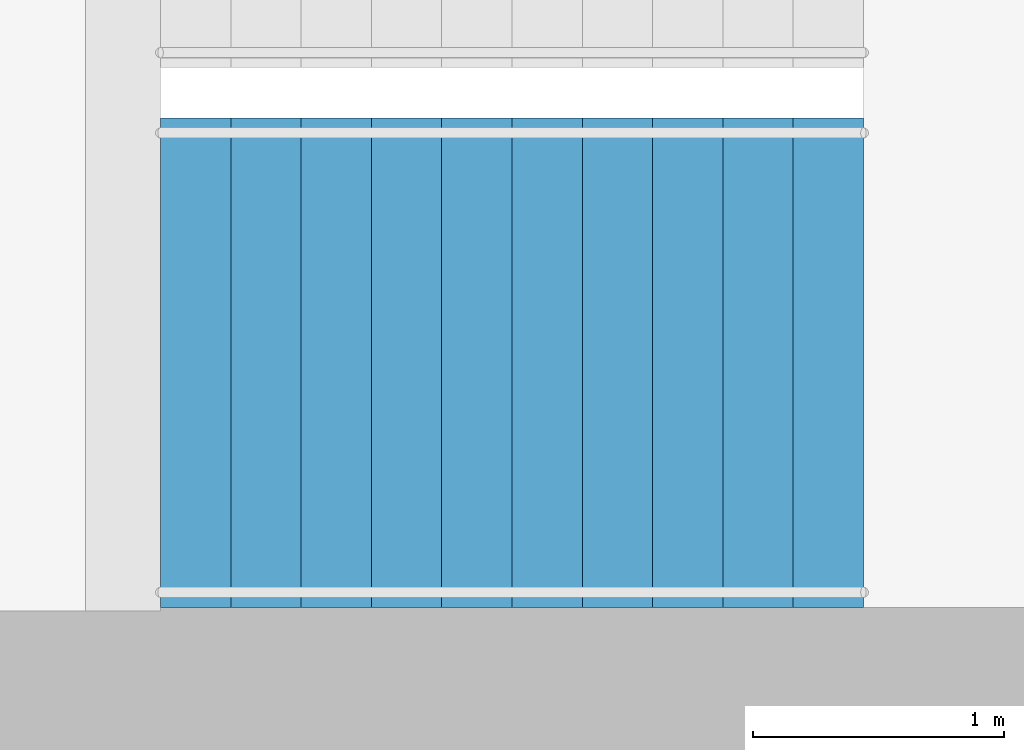
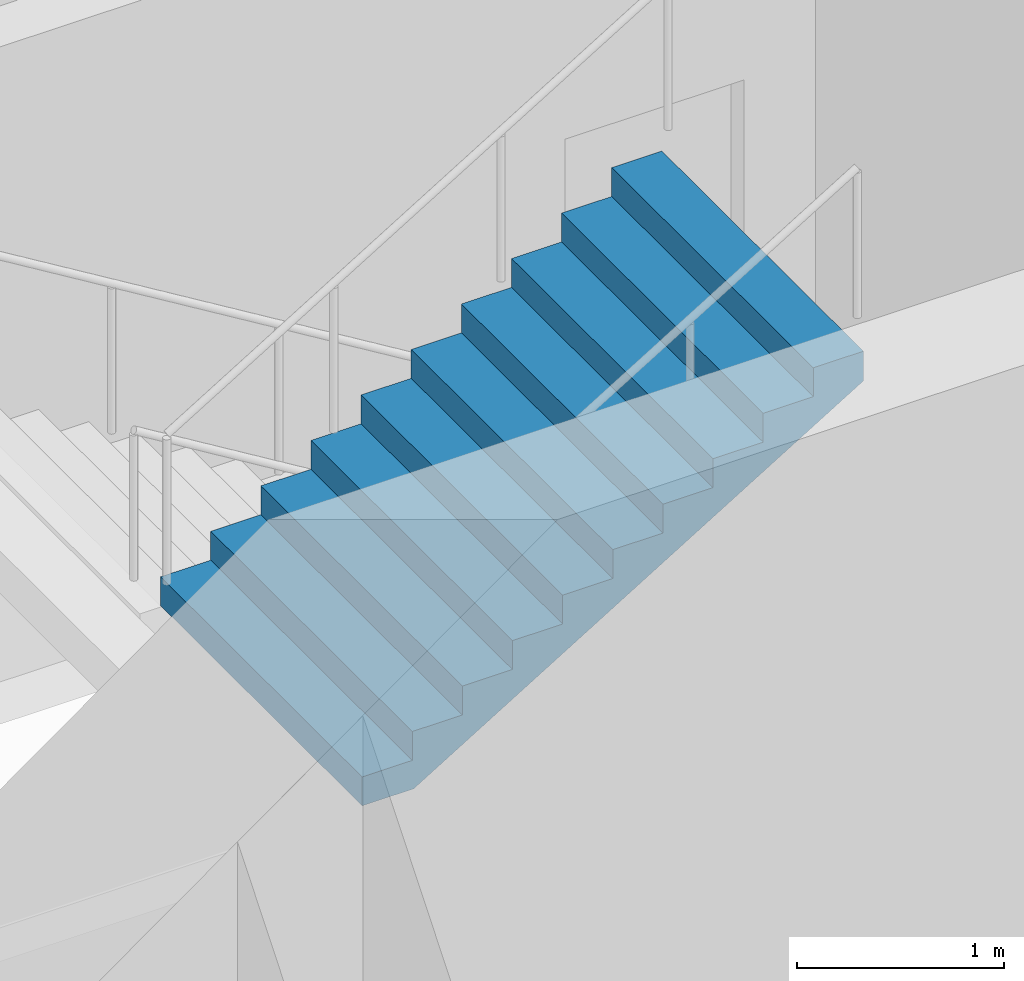
# One storey, part 22 of 24: 1 stair flight, 1 element without a shape of its own.
"""IFC4 building model written with IfcOpenShell, lengths in metres."""

from ifc_helpers import new_model, si_unit, direction, frame, origin, place, context, subcontext, project, spatial, triangles, material, type_object, element, aggregate, save


model = new_model("IFC4")

# Units and contexts
model_context = context("Model", 3, precision=1e-05, world=origin(), true_north=direction((0.0, 1.0)))
body_context = subcontext(model_context, "Body", "Model", "MODEL_VIEW")
ifc_project = project(units=[si_unit("LENGTHUNIT", "METRE"), si_unit("AREAUNIT", "SQUARE_METRE"), si_unit("VOLUMEUNIT", "CUBIC_METRE"), si_unit("PLANEANGLEUNIT", "RADIAN"), si_unit("MASSUNIT", "GRAM", prefix="KILO")], contexts=[model_context])

# Site, building, storey
site_placement = place(None, origin())
site = spatial("IfcSite", under=ifc_project, at=site_placement, CompositionType="ELEMENT")
building_placement = place(site_placement, origin())
building = spatial("IfcBuilding", under=site, at=building_placement, Name="Orbita Commons", CompositionType="ELEMENT")
storey_placement = place(building_placement, frame((0.0, 0.0, 242.800048828125)))
storey = spatial("IfcBuildingStorey", under=building, at=storey_placement, Name="L60", CompositionType="ELEMENT", Elevation=242.800048828125)

# Stair, stair flight
ifc_material_1 = material(Name="Precast concrete C40/50", Category="concrete")
stair_type = type_object("IfcStairType", Name="Exit stair S2 2 flights 11 risers 170", PredefinedType="HALF_TURN_STAIR", material=ifc_material_1)
stair_placement = place(storey_placement, origin())
stair = element("IfcStair", 1, at=stair_placement, inside=storey, type_object=stair_type, Name="Exit stair S2 L60", PredefinedType="HALF_TURN_STAIR")
ifc_material_2 = material(Name="Precast concrete C40/50", Category="concrete")
stair_flight_type = type_object("IfcStairFlightType", Name="Stair flight 11 risers 170 x 280", PredefinedType="STRAIGHT", material=ifc_material_2)
stair_flight_placement = place(storey_placement, frame((60.75, 27.125, 1.875), z_axis=(0.0, 0.0, 1.0), x_axis=(1.0, 0.0, 0.0)))
stair_flight = element("IfcStairFlight", 2, at=stair_flight_placement, type_object=stair_flight_type, Name="S2 flight 2", NumberOfRisers=11, NumberOfTreads=10, PredefinedType="STRAIGHT", RiserHeight=0.170454545, TreadLength=0.28, context=body_context, shape_type="Tessellation", body=[
    triangles([(0.0, 0.974976, 0.0), (0.0, 0.974976, 0.021307), (0.0, 0.81248, 0.021307), (0.0, 0.81248, 0.0), (0.0, 0.649984, 0.021307), (0.0, 0.649984, 0.0), (0.0, 0.487488, 0.021307), (0.0, 0.487488, 0.0), (0.0, 0.324992, 0.021307), (0.0, 0.324992, 0.0), (0.0, 0.162496, 0.021307), (0.0, 0.162496, 0.0), (0.0, 0.0, 0.021307), (0.0, 0.0, 0.0), (0.0, -0.162496, 0.021307), (0.0, -0.162496, 0.0), (0.0, -0.324992, 0.021307), (0.0, -0.324992, 0.0), (0.0, -0.487488, 0.021307), (0.0, -0.487488, 0.0), (0.0, -0.649984, 0.021307), (0.0, -0.649984, 0.0), (0.0, -0.81248, 0.021307), (0.0, -0.81248, 0.0), (0.0, -0.974976, 0.021307), (0.0, -0.974976, 0.0), (0.0, 0.974976, 0.042614), (0.0, 0.81248, 0.042614), (0.0, 0.649984, 0.042614), (0.0, 0.487488, 0.042614), (0.0, 0.324992, 0.042614), (0.0, 0.162496, 0.042614), (0.0, 0.0, 0.042614), (0.0, -0.162496, 0.042614), (0.0, -0.324992, 0.042614), (0.0, -0.487488, 0.042614), (0.0, -0.649984, 0.042614), (0.0, -0.81248, 0.042614), (0.0, -0.974976, 0.042614), (0.0, 0.974976, 0.06392), (0.0, 0.81248, 0.06392), (0.0, 0.649984, 0.06392), (0.0, 0.487488, 0.06392), (0.0, 0.324992, 0.06392), (0.0, 0.162496, 0.06392), (0.0, 0.0, 0.06392), (0.0, -0.162496, 0.06392), (0.0, -0.324992, 0.06392), (0.0, -0.487488, 0.06392), (0.0, -0.649984, 0.06392), (0.0, -0.81248, 0.06392), (0.0, -0.974976, 0.06392), (0.0, 0.974976, 0.085227), (0.0, 0.81248, 0.085227), (0.0, 0.649984, 0.085227), (0.0, 0.487488, 0.085227), (0.0, 0.324992, 0.085227), (0.0, 0.162496, 0.085227), (0.0, 0.0, 0.085227), (0.0, -0.162496, 0.085227), (0.0, -0.324992, 0.085227), (0.0, -0.487488, 0.085227), (0.0, -0.649984, 0.085227), (0.0, -0.81248, 0.085227), (0.0, -0.974976, 0.085227), (0.0, 0.974976, 0.106534), (0.0, 0.81248, 0.106534), (0.0, 0.649984, 0.106534), (0.0, 0.487488, 0.106534), (0.0, 0.324992, 0.106534), (0.0, 0.162496, 0.106534), (0.0, 0.0, 0.106534), (0.0, -0.162496, 0.106534), (0.0, -0.324992, 0.106534), (0.0, -0.487488, 0.106534), (0.0, -0.649984, 0.106534), (0.0, -0.81248, 0.106534), (0.0, -0.974976, 0.106534), (0.0, 0.974976, 0.127841), (0.0, 0.81248, 0.127841), (0.0, 0.649984, 0.127841), (0.0, 0.487488, 0.127841), (0.0, 0.324992, 0.127841), (0.0, 0.162496, 0.127841), (0.0, 0.0, 0.127841), (0.0, -0.162496, 0.127841), (0.0, -0.324992, 0.127841), (0.0, -0.487488, 0.127841), (0.0, -0.649984, 0.127841), (0.0, -0.81248, 0.127841), (0.0, -0.974976, 0.127841), (0.0, 0.974976, 0.149148), (0.0, 0.81248, 0.149148), (0.0, 0.649984, 0.149148), (0.0, 0.487488, 0.149148), (0.0, 0.324992, 0.149148), (0.0, 0.162496, 0.149148), (0.0, 0.0, 0.149148), (0.0, -0.162496, 0.149148), (0.0, -0.324992, 0.149148), (0.0, -0.487488, 0.149148), (0.0, -0.649984, 0.149148), (0.0, -0.81248, 0.149148), (0.0, -0.974976, 0.149148), (0.0, 0.974976, 0.170455), (0.0, 0.81248, 0.170455), (0.0, 0.649984, 0.170455), (0.0, 0.487488, 0.170455), (0.0, 0.324992, 0.170455), (0.0, 0.162496, 0.170455), (0.0, 0.0, 0.170455), (0.0, -0.162496, 0.170455), (0.0, -0.324992, 0.170455), (0.0, -0.487488, 0.170455), (0.0, -0.649984, 0.170455), (0.0, -0.81248, 0.170455), (0.0, -0.974976, 0.170455), (0.28, 0.974976, 0.170455), (0.28, 0.81248, 0.170455), (0.28, 0.649984, 0.170455), (0.28, 0.487488, 0.170455), (0.28, 0.324992, 0.170455), (0.28, 0.162496, 0.170455), (0.28, 0.0, 0.170455), (0.28, -0.162496, 0.170455), (0.28, -0.324992, 0.170455), (0.28, -0.487488, 0.170455), (0.28, -0.649984, 0.170455), (0.28, -0.81248, 0.170455), (0.28, -0.974976, 0.170455), (0.28, 0.974976, 0.340909), (0.28, 0.81248, 0.340909), (0.28, 0.649984, 0.340909), (0.28, 0.487488, 0.340909), (0.28, 0.324992, 0.340909), (0.28, 0.162496, 0.340909), (0.28, 0.0, 0.340909), (0.28, -0.162496, 0.340909), (0.28, -0.324992, 0.340909), (0.28, -0.487488, 0.340909), (0.28, -0.649984, 0.340909), (0.28, -0.81248, 0.340909), (0.28, -0.974976, 0.340909), (0.56, 0.974976, 0.340909), (0.56, 0.81248, 0.340909), (0.56, 0.649984, 0.340909), (0.56, 0.487488, 0.340909), (0.56, 0.324992, 0.340909), (0.56, 0.162496, 0.340909), (0.56, 0.0, 0.340909), (0.56, -0.162496, 0.340909), (0.56, -0.324992, 0.340909), (0.56, -0.487488, 0.340909), (0.56, -0.649984, 0.340909), (0.56, -0.81248, 0.340909), (0.56, -0.974976, 0.340909), (0.56, 0.974976, 0.511364), (0.56, 0.81248, 0.511364), (0.56, 0.649984, 0.511364), (0.56, 0.487488, 0.511364), (0.56, 0.324992, 0.511364), (0.56, 0.162496, 0.511364), (0.56, 0.0, 0.511364), (0.56, -0.162496, 0.511364), (0.56, -0.324992, 0.511364), (0.56, -0.487488, 0.511364), (0.56, -0.649984, 0.511364), (0.56, -0.81248, 0.511364), (0.56, -0.974976, 0.511364), (0.84, 0.974976, 0.511364), (0.84, 0.81248, 0.511364), (0.84, 0.649984, 0.511364), (0.84, 0.487488, 0.511364), (0.84, 0.324992, 0.511364), (0.84, 0.162496, 0.511364), (0.84, 0.0, 0.511364), (0.84, -0.162496, 0.511364), (0.84, -0.324992, 0.511364), (0.84, -0.487488, 0.511364), (0.84, -0.649984, 0.511364), (0.84, -0.81248, 0.511364), (0.84, -0.974976, 0.511364), (0.84, 0.974976, 0.681818), (0.84, 0.81248, 0.681818), (0.84, 0.649984, 0.681818), (0.84, 0.487488, 0.681818), (0.84, 0.324992, 0.681818), (0.84, 0.162496, 0.681818), (0.84, 0.0, 0.681818), (0.84, -0.162496, 0.681818), (0.84, -0.324992, 0.681818), (0.84, -0.487488, 0.681818), (0.84, -0.649984, 0.681818), (0.84, -0.81248, 0.681818), (0.84, -0.974976, 0.681818), (1.12, 0.974976, 0.681818), (1.12, 0.81248, 0.681818), (1.12, 0.649984, 0.681818), (1.12, 0.487488, 0.681818), (1.12, 0.324992, 0.681818), (1.12, 0.162496, 0.681818), (1.12, 0.0, 0.681818), (1.12, -0.162496, 0.681818), (1.12, -0.324992, 0.681818), (1.12, -0.487488, 0.681818), (1.12, -0.649984, 0.681818), (1.12, -0.81248, 0.681818), (1.12, -0.974976, 0.681818), (1.12, 0.974976, 0.852273), (1.12, 0.81248, 0.852273), (1.12, 0.649984, 0.852273), (1.12, 0.487488, 0.852273), (1.12, 0.324992, 0.852273), (1.12, 0.162496, 0.852273), (1.12, 0.0, 0.852273), (1.12, -0.162496, 0.852273), (1.12, -0.324992, 0.852273), (1.12, -0.487488, 0.852273), (1.12, -0.649984, 0.852273), (1.12, -0.81248, 0.852273), (1.12, -0.974976, 0.852273), (1.4, 0.974976, 0.852273), (1.4, 0.81248, 0.852273), (1.4, 0.649984, 0.852273), (1.4, 0.487488, 0.852273), (1.4, 0.324992, 0.852273), (1.4, 0.162496, 0.852273), (1.4, 0.0, 0.852273), (1.4, -0.162496, 0.852273), (1.4, -0.324992, 0.852273), (1.4, -0.487488, 0.852273), (1.4, -0.649984, 0.852273), (1.4, -0.81248, 0.852273), (1.4, -0.974976, 0.852273), (1.4, 0.974976, 1.022727), (1.4, 0.81248, 1.022727), (1.4, 0.649984, 1.022727), (1.4, 0.487488, 1.022727), (1.4, 0.324992, 1.022727), (1.4, 0.162496, 1.022727), (1.4, 0.0, 1.022727), (1.4, -0.162496, 1.022727), (1.4, -0.324992, 1.022727), (1.4, -0.487488, 1.022727), (1.4, -0.649984, 1.022727), (1.4, -0.81248, 1.022727), (1.4, -0.974976, 1.022727), (1.68, 0.974976, 1.022727), (1.68, 0.81248, 1.022727), (1.68, 0.649984, 1.022727), (1.68, 0.487488, 1.022727), (1.68, 0.324992, 1.022727), (1.68, 0.162496, 1.022727), (1.68, 0.0, 1.022727), (1.68, -0.162496, 1.022727), (1.68, -0.324992, 1.022727), (1.68, -0.487488, 1.022727), (1.68, -0.649984, 1.022727), (1.68, -0.81248, 1.022727), (1.68, -0.974976, 1.022727), (1.68, 0.974976, 1.193182), (1.68, 0.81248, 1.193182), (1.68, 0.649984, 1.193182), (1.68, 0.487488, 1.193182), (1.68, 0.324992, 1.193182), (1.68, 0.162496, 1.193182), (1.68, 0.0, 1.193182), (1.68, -0.162496, 1.193182), (1.68, -0.324992, 1.193182), (1.68, -0.487488, 1.193182), (1.68, -0.649984, 1.193182), (1.68, -0.81248, 1.193182), (1.68, -0.974976, 1.193182), (1.96, 0.974976, 1.193182), (1.96, 0.81248, 1.193182), (1.96, 0.649984, 1.193182), (1.96, 0.487488, 1.193182), (1.96, 0.324992, 1.193182), (1.96, 0.162496, 1.193182), (1.96, 0.0, 1.193182), (1.96, -0.162496, 1.193182), (1.96, -0.324992, 1.193182), (1.96, -0.487488, 1.193182), (1.96, -0.649984, 1.193182), (1.96, -0.81248, 1.193182), (1.96, -0.974976, 1.193182), (1.96, 0.974976, 1.363636), (1.96, 0.81248, 1.363636), (1.96, 0.649984, 1.363636), (1.96, 0.487488, 1.363636), (1.96, 0.324992, 1.363636), (1.96, 0.162496, 1.363636), (1.96, 0.0, 1.363636), (1.96, -0.162496, 1.363636), (1.96, -0.324992, 1.363636), (1.96, -0.487488, 1.363636), (1.96, -0.649984, 1.363636), (1.96, -0.81248, 1.363636), (1.96, -0.974976, 1.363636), (2.24, 0.974976, 1.363636), (2.24, 0.81248, 1.363636), (2.24, 0.649984, 1.363636), (2.24, 0.487488, 1.363636), (2.24, 0.324992, 1.363636), (2.24, 0.162496, 1.363636), (2.24, 0.0, 1.363636), (2.24, -0.162496, 1.363636), (2.24, -0.324992, 1.363636), (2.24, -0.487488, 1.363636), (2.24, -0.649984, 1.363636), (2.24, -0.81248, 1.363636), (2.24, -0.974976, 1.363636), (2.24, 0.974976, 1.534091), (2.24, 0.81248, 1.534091), (2.24, 0.649984, 1.534091), (2.24, 0.487488, 1.534091), (2.24, 0.324992, 1.534091), (2.24, 0.162496, 1.534091), (2.24, 0.0, 1.534091), (2.24, -0.162496, 1.534091), (2.24, -0.324992, 1.534091), (2.24, -0.487488, 1.534091), (2.24, -0.649984, 1.534091), (2.24, -0.81248, 1.534091), (2.24, -0.974976, 1.534091), (2.52, 0.974976, 1.534091), (2.52, 0.81248, 1.534091), (2.52, 0.649984, 1.534091), (2.52, 0.487488, 1.534091), (2.52, 0.324992, 1.534091), (2.52, 0.162496, 1.534091), (2.52, 0.0, 1.534091), (2.52, -0.162496, 1.534091), (2.52, -0.324992, 1.534091), (2.52, -0.487488, 1.534091), (2.52, -0.649984, 1.534091), (2.52, -0.81248, 1.534091), (2.52, -0.974976, 1.534091), (2.52, 0.974976, 1.704545), (2.52, 0.81248, 1.704545), (2.52, 0.649984, 1.704545), (2.52, 0.487488, 1.704545), (2.52, 0.324992, 1.704545), (2.52, 0.162496, 1.704545), (2.52, 0.0, 1.704545), (2.52, -0.162496, 1.704545), (2.52, -0.324992, 1.704545), (2.52, -0.487488, 1.704545), (2.52, -0.649984, 1.704545), (2.52, -0.81248, 1.704545), (2.52, -0.974976, 1.704545), (2.8, 0.974976, 1.704545), (2.8, 0.81248, 1.704545), (2.8, 0.649984, 1.704545), (2.8, 0.487488, 1.704545), (2.8, 0.324992, 1.704545), (2.8, 0.162496, 1.704545), (2.8, 0.0, 1.704545), (2.8, -0.162496, 1.704545), (2.8, -0.324992, 1.704545), (2.8, -0.487488, 1.704545), (2.8, -0.649984, 1.704545), (2.8, -0.81248, 1.704545), (2.8, -0.974976, 1.704545), (2.8, 0.974976, 1.682609), (2.8, 0.81248, 1.682609), (2.8, 0.649984, 1.682609), (2.8, 0.487488, 1.682609), (2.8, 0.324992, 1.682609), (2.8, 0.162496, 1.682609), (2.8, 0.0, 1.682609), (2.8, -0.162496, 1.682609), (2.8, -0.324992, 1.682609), (2.8, -0.487488, 1.682609), (2.8, -0.649984, 1.682609), (2.8, -0.81248, 1.682609), (2.8, -0.974976, 1.682609), (2.8, 0.974976, 1.660672), (2.8, 0.81248, 1.660672), (2.8, 0.649984, 1.660672), (2.8, 0.487488, 1.660672), (2.8, 0.324992, 1.660672), (2.8, 0.162496, 1.660672), (2.8, 0.0, 1.660672), (2.8, -0.162496, 1.660672), (2.8, -0.324992, 1.660672), (2.8, -0.487488, 1.660672), (2.8, -0.649984, 1.660672), (2.8, -0.81248, 1.660672), (2.8, -0.974976, 1.660672), (2.8, 0.974976, 1.638735), (2.8, 0.81248, 1.638735), (2.8, 0.649984, 1.638735), (2.8, 0.487488, 1.638735), (2.8, 0.324992, 1.638735), (2.8, 0.162496, 1.638735), (2.8, 0.0, 1.638735), (2.8, -0.162496, 1.638735), (2.8, -0.324992, 1.638735), (2.8, -0.487488, 1.638735), (2.8, -0.649984, 1.638735), (2.8, -0.81248, 1.638735), (2.8, -0.974976, 1.638735), (2.8, 0.974976, 1.616798), (2.8, 0.81248, 1.616798), (2.8, 0.649984, 1.616798), (2.8, 0.487488, 1.616798), (2.8, 0.324992, 1.616798), (2.8, 0.162496, 1.616798), (2.8, 0.0, 1.616798), (2.8, -0.162496, 1.616798), (2.8, -0.324992, 1.616798), (2.8, -0.487488, 1.616798), (2.8, -0.649984, 1.616798), (2.8, -0.81248, 1.616798), (2.8, -0.974976, 1.616798), (2.8, 0.974976, 1.594861), (2.8, 0.81248, 1.594861), (2.8, 0.649984, 1.594861), (2.8, 0.487488, 1.594861), (2.8, 0.324992, 1.594861), (2.8, 0.162496, 1.594861), (2.8, 0.0, 1.594861), (2.8, -0.162496, 1.594861), (2.8, -0.324992, 1.594861), (2.8, -0.487488, 1.594861), (2.8, -0.649984, 1.594861), (2.8, -0.81248, 1.594861), (2.8, -0.974976, 1.594861), (2.8, 0.974976, 1.572925), (2.8, 0.81248, 1.572925), (2.8, 0.649984, 1.572925), (2.8, 0.487488, 1.572925), (2.8, 0.324992, 1.572925), (2.8, 0.162496, 1.572925), (2.8, 0.0, 1.572925), (2.8, -0.162496, 1.572925), (2.8, -0.324992, 1.572925), (2.8, -0.487488, 1.572925), (2.8, -0.649984, 1.572925), (2.8, -0.81248, 1.572925), (2.8, -0.974976, 1.572925), (2.8, 0.974976, 1.550988), (2.8, 0.81248, 1.550988), (2.8, 0.649984, 1.550988), (2.8, 0.487488, 1.550988), (2.8, 0.324992, 1.550988), (2.8, 0.162496, 1.550988), (2.8, 0.0, 1.550988), (2.8, -0.162496, 1.550988), (2.8, -0.324992, 1.550988), (2.8, -0.487488, 1.550988), (2.8, -0.649984, 1.550988), (2.8, -0.81248, 1.550988), (2.8, -0.974976, 1.550988), (2.8, 0.974976, 1.529051), (2.8, 0.81248, 1.529051), (2.8, 0.649984, 1.529051), (2.8, 0.487488, 1.529051), (2.8, 0.324992, 1.529051), (2.8, 0.162496, 1.529051), (2.8, 0.0, 1.529051), (2.8, -0.162496, 1.529051), (2.8, -0.324992, 1.529051), (2.8, -0.487488, 1.529051), (2.8, -0.649984, 1.529051), (2.8, -0.81248, 1.529051), (2.8, -0.974976, 1.529051), (0.288279, 0.974976, 0.0), (0.288279, 0.81248, 0.0), (0.288279, 0.649984, 0.0), (0.288279, 0.487488, 0.0), (0.288279, 0.324992, 0.0), (0.288279, 0.162496, 0.0), (0.288279, 0.0, 0.0), (0.288279, -0.162496, 0.0), (0.288279, -0.324992, 0.0), (0.288279, -0.487488, 0.0), (0.288279, -0.649984, 0.0), (0.288279, -0.81248, 0.0), (0.288279, -0.974976, 0.0)], [[3, 2, 1], [4, 3, 1], [5, 3, 4], [6, 5, 4], [7, 5, 6], [8, 7, 6], [9, 7, 8], [10, 9, 8], [11, 9, 10], [12, 11, 10], [13, 11, 12], [14, 13, 12], [15, 13, 14], [16, 15, 14], [17, 15, 16], [18, 17, 16], [19, 17, 18], [20, 19, 18], [21, 19, 20], [22, 21, 20], [23, 21, 22], [24, 23, 22], [25, 23, 24], [26, 25, 24], [28, 27, 2], [3, 28, 2], [29, 28, 3], [5, 29, 3], [30, 29, 5], [7, 30, 5], [31, 30, 7], [9, 31, 7], [32, 31, 9], [11, 32, 9], [33, 32, 11], [13, 33, 11], [34, 33, 13], [15, 34, 13], [35, 34, 15], [17, 35, 15], [36, 35, 17], [19, 36, 17], [37, 36, 19], [21, 37, 19], [38, 37, 21], [23, 38, 21], [39, 38, 23], [25, 39, 23], [41, 40, 27], [28, 41, 27], [42, 41, 28], [29, 42, 28], [43, 42, 29], [30, 43, 29], [44, 43, 30], [31, 44, 30], [45, 44, 31], [32, 45, 31], [46, 45, 32], [33, 46, 32], [47, 46, 33], [34, 47, 33], [48, 47, 34], [35, 48, 34], [49, 48, 35], [36, 49, 35], [50, 49, 36], [37, 50, 36], [51, 50, 37], [38, 51, 37], [52, 51, 38], [39, 52, 38], [54, 53, 40], [41, 54, 40], [55, 54, 41], [42, 55, 41], [56, 55, 42], [43, 56, 42], [57, 56, 43], [44, 57, 43], [58, 57, 44], [45, 58, 44], [59, 58, 45], [46, 59, 45], [60, 59, 46], [47, 60, 46], [61, 60, 47], [48, 61, 47], [62, 61, 48], [49, 62, 48], [63, 62, 49], [50, 63, 49], [64, 63, 50], [51, 64, 50], [65, 64, 51], [52, 65, 51], [67, 66, 53], [54, 67, 53], [68, 67, 54], [55, 68, 54], [69, 68, 55], [56, 69, 55], [70, 69, 56], [57, 70, 56], [71, 70, 57], [58, 71, 57], [72, 71, 58], [59, 72, 58], [73, 72, 59], [60, 73, 59], [74, 73, 60], [61, 74, 60], [75, 74, 61], [62, 75, 61], [76, 75, 62], [63, 76, 62], [77, 76, 63], [64, 77, 63], [78, 77, 64], [65, 78, 64], [80, 79, 66], [67, 80, 66], [81, 80, 67], [68, 81, 67], [82, 81, 68], [69, 82, 68], [83, 82, 69], [70, 83, 69], [84, 83, 70], [71, 84, 70], [85, 84, 71], [72, 85, 71], [86, 85, 72], [73, 86, 72], [87, 86, 73], [74, 87, 73], [88, 87, 74], [75, 88, 74], [89, 88, 75], [76, 89, 75], [90, 89, 76], [77, 90, 76], [91, 90, 77], [78, 91, 77], [93, 92, 79], [80, 93, 79], [94, 93, 80], [81, 94, 80], [95, 94, 81], [82, 95, 81], [96, 95, 82], [83, 96, 82], [97, 96, 83], [84, 97, 83], [98, 97, 84], [85, 98, 84], [99, 98, 85], [86, 99, 85], [100, 99, 86], [87, 100, 86], [101, 100, 87], [88, 101, 87], [102, 101, 88], [89, 102, 88], [103, 102, 89], [90, 103, 89], [104, 103, 90], [91, 104, 90], [106, 105, 92], [93, 106, 92], [107, 106, 93], [94, 107, 93], [108, 107, 94], [95, 108, 94], [109, 108, 95], [96, 109, 95], [110, 109, 96], [97, 110, 96], [111, 110, 97], [98, 111, 97], [112, 111, 98], [99, 112, 98], [113, 112, 99], [100, 113, 99], [114, 113, 100], [101, 114, 100], [115, 114, 101], [102, 115, 101], [116, 115, 102], [103, 116, 102], [117, 116, 103], [104, 117, 103], [119, 118, 105], [106, 119, 105], [120, 119, 106], [107, 120, 106], [121, 120, 107], [108, 121, 107], [122, 121, 108], [109, 122, 108], [123, 122, 109], [110, 123, 109], [124, 123, 110], [111, 124, 110], [125, 124, 111], [112, 125, 111], [126, 125, 112], [113, 126, 112], [127, 126, 113], [114, 127, 113], [128, 127, 114], [115, 128, 114], [129, 128, 115], [116, 129, 115], [130, 129, 116], [117, 130, 116], [132, 131, 118], [119, 132, 118], [133, 132, 119], [120, 133, 119], [134, 133, 120], [121, 134, 120], [135, 134, 121], [122, 135, 121], [136, 135, 122], [123, 136, 122], [137, 136, 123], [124, 137, 123], [138, 137, 124], [125, 138, 124], [139, 138, 125], [126, 139, 125], [140, 139, 126], [127, 140, 126], [141, 140, 127], [128, 141, 127], [142, 141, 128], [129, 142, 128], [143, 142, 129], [130, 143, 129], [145, 144, 131], [132, 145, 131], [146, 145, 132], [133, 146, 132], [147, 146, 133], [134, 147, 133], [148, 147, 134], [135, 148, 134], [149, 148, 135], [136, 149, 135], [150, 149, 136], [137, 150, 136], [151, 150, 137], [138, 151, 137], [152, 151, 138], [139, 152, 138], [153, 152, 139], [140, 153, 139], [154, 153, 140], [141, 154, 140], [155, 154, 141], [142, 155, 141], [156, 155, 142], [143, 156, 142], [158, 157, 144], [145, 158, 144], [159, 158, 145], [146, 159, 145], [160, 159, 146], [147, 160, 146], [161, 160, 147], [148, 161, 147], [162, 161, 148], [149, 162, 148], [163, 162, 149], [150, 163, 149], [164, 163, 150], [151, 164, 150], [165, 164, 151], [152, 165, 151], [166, 165, 152], [153, 166, 152], [167, 166, 153], [154, 167, 153], [168, 167, 154], [155, 168, 154], [169, 168, 155], [156, 169, 155], [171, 170, 157], [158, 171, 157], [172, 171, 158], [159, 172, 158], [173, 172, 159], [160, 173, 159], [174, 173, 160], [161, 174, 160], [175, 174, 161], [162, 175, 161], [176, 175, 162], [163, 176, 162], [177, 176, 163], [164, 177, 163], [178, 177, 164], [165, 178, 164], [179, 178, 165], [166, 179, 165], [180, 179, 166], [167, 180, 166], [181, 180, 167], [168, 181, 167], [182, 181, 168], [169, 182, 168], [184, 183, 170], [171, 184, 170], [185, 184, 171], [172, 185, 171], [186, 185, 172], [173, 186, 172], [187, 186, 173], [174, 187, 173], [188, 187, 174], [175, 188, 174], [189, 188, 175], [176, 189, 175], [190, 189, 176], [177, 190, 176], [191, 190, 177], [178, 191, 177], [192, 191, 178], [179, 192, 178], [193, 192, 179], [180, 193, 179], [194, 193, 180], [181, 194, 180], [195, 194, 181], [182, 195, 181], [197, 196, 183], [184, 197, 183], [198, 197, 184], [185, 198, 184], [199, 198, 185], [186, 199, 185], [200, 199, 186], [187, 200, 186], [201, 200, 187], [188, 201, 187], [202, 201, 188], [189, 202, 188], [203, 202, 189], [190, 203, 189], [204, 203, 190], [191, 204, 190], [205, 204, 191], [192, 205, 191], [206, 205, 192], [193, 206, 192], [207, 206, 193], [194, 207, 193], [208, 207, 194], [195, 208, 194], [210, 209, 196], [197, 210, 196], [211, 210, 197], [198, 211, 197], [212, 211, 198], [199, 212, 198], [213, 212, 199], [200, 213, 199], [214, 213, 200], [201, 214, 200], [215, 214, 201], [202, 215, 201], [216, 215, 202], [203, 216, 202], [217, 216, 203], [204, 217, 203], [218, 217, 204], [205, 218, 204], [219, 218, 205], [206, 219, 205], [220, 219, 206], [207, 220, 206], [221, 220, 207], [208, 221, 207], [223, 222, 209], [210, 223, 209], [224, 223, 210], [211, 224, 210], [225, 224, 211], [212, 225, 211], [226, 225, 212], [213, 226, 212], [227, 226, 213], [214, 227, 213], [228, 227, 214], [215, 228, 214], [229, 228, 215], [216, 229, 215], [230, 229, 216], [217, 230, 216], [231, 230, 217], [218, 231, 217], [232, 231, 218], [219, 232, 218], [233, 232, 219], [220, 233, 219], [234, 233, 220], [221, 234, 220], [236, 235, 222], [223, 236, 222], [237, 236, 223], [224, 237, 223], [238, 237, 224], [225, 238, 224], [239, 238, 225], [226, 239, 225], [240, 239, 226], [227, 240, 226], [241, 240, 227], [228, 241, 227], [242, 241, 228], [229, 242, 228], [243, 242, 229], [230, 243, 229], [244, 243, 230], [231, 244, 230], [245, 244, 231], [232, 245, 231], [246, 245, 232], [233, 246, 232], [247, 246, 233], [234, 247, 233], [249, 248, 235], [236, 249, 235], [250, 249, 236], [237, 250, 236], [251, 250, 237], [238, 251, 237], [252, 251, 238], [239, 252, 238], [253, 252, 239], [240, 253, 239], [254, 253, 240], [241, 254, 240], [255, 254, 241], [242, 255, 241], [256, 255, 242], [243, 256, 242], [257, 256, 243], [244, 257, 243], [258, 257, 244], [245, 258, 244], [259, 258, 245], [246, 259, 245], [260, 259, 246], [247, 260, 246], [262, 261, 248], [249, 262, 248], [263, 262, 249], [250, 263, 249], [264, 263, 250], [251, 264, 250], [265, 264, 251], [252, 265, 251], [266, 265, 252], [253, 266, 252], [267, 266, 253], [254, 267, 253], [268, 267, 254], [255, 268, 254], [269, 268, 255], [256, 269, 255], [270, 269, 256], [257, 270, 256], [271, 270, 257], [258, 271, 257], [272, 271, 258], [259, 272, 258], [273, 272, 259], [260, 273, 259], [275, 274, 261], [262, 275, 261], [276, 275, 262], [263, 276, 262], [277, 276, 263], [264, 277, 263], [278, 277, 264], [265, 278, 264], [279, 278, 265], [266, 279, 265], [280, 279, 266], [267, 280, 266], [281, 280, 267], [268, 281, 267], [282, 281, 268], [269, 282, 268], [283, 282, 269], [270, 283, 269], [284, 283, 270], [271, 284, 270], [285, 284, 271], [272, 285, 271], [286, 285, 272], [273, 286, 272], [288, 287, 274], [275, 288, 274], [289, 288, 275], [276, 289, 275], [290, 289, 276], [277, 290, 276], [291, 290, 277], [278, 291, 277], [292, 291, 278], [279, 292, 278], [293, 292, 279], [280, 293, 279], [294, 293, 280], [281, 294, 280], [295, 294, 281], [282, 295, 281], [296, 295, 282], [283, 296, 282], [297, 296, 283], [284, 297, 283], [298, 297, 284], [285, 298, 284], [299, 298, 285], [286, 299, 285], [301, 300, 287], [288, 301, 287], [302, 301, 288], [289, 302, 288], [303, 302, 289], [290, 303, 289], [304, 303, 290], [291, 304, 290], [305, 304, 291], [292, 305, 291], [306, 305, 292], [293, 306, 292], [307, 306, 293], [294, 307, 293], [308, 307, 294], [295, 308, 294], [309, 308, 295], [296, 309, 295], [310, 309, 296], [297, 310, 296], [311, 310, 297], [298, 311, 297], [312, 311, 298], [299, 312, 298], [314, 313, 300], [301, 314, 300], [315, 314, 301], [302, 315, 301], [316, 315, 302], [303, 316, 302], [317, 316, 303], [304, 317, 303], [318, 317, 304], [305, 318, 304], [319, 318, 305], [306, 319, 305], [320, 319, 306], [307, 320, 306], [321, 320, 307], [308, 321, 307], [322, 321, 308], [309, 322, 308], [323, 322, 309], [310, 323, 309], [324, 323, 310], [311, 324, 310], [325, 324, 311], [312, 325, 311], [327, 326, 313], [314, 327, 313], [328, 327, 314], [315, 328, 314], [329, 328, 315], [316, 329, 315], [330, 329, 316], [317, 330, 316], [331, 330, 317], [318, 331, 317], [332, 331, 318], [319, 332, 318], [333, 332, 319], [320, 333, 319], [334, 333, 320], [321, 334, 320], [335, 334, 321], [322, 335, 321], [336, 335, 322], [323, 336, 322], [337, 336, 323], [324, 337, 323], [338, 337, 324], [325, 338, 324], [340, 339, 326], [327, 340, 326], [341, 340, 327], [328, 341, 327], [342, 341, 328], [329, 342, 328], [343, 342, 329], [330, 343, 329], [344, 343, 330], [331, 344, 330], [345, 344, 331], [332, 345, 331], [346, 345, 332], [333, 346, 332], [347, 346, 333], [334, 347, 333], [348, 347, 334], [335, 348, 334], [349, 348, 335], [336, 349, 335], [350, 349, 336], [337, 350, 336], [351, 350, 337], [338, 351, 337], [353, 352, 339], [340, 353, 339], [354, 353, 340], [341, 354, 340], [355, 354, 341], [342, 355, 341], [356, 355, 342], [343, 356, 342], [357, 356, 343], [344, 357, 343], [358, 357, 344], [345, 358, 344], [359, 358, 345], [346, 359, 345], [360, 359, 346], [347, 360, 346], [361, 360, 347], [348, 361, 347], [362, 361, 348], [349, 362, 348], [363, 362, 349], [350, 363, 349], [364, 363, 350], [351, 364, 350], [366, 365, 352], [353, 366, 352], [367, 366, 353], [354, 367, 353], [368, 367, 354], [355, 368, 354], [369, 368, 355], [356, 369, 355], [370, 369, 356], [357, 370, 356], [371, 370, 357], [358, 371, 357], [372, 371, 358], [359, 372, 358], [373, 372, 359], [360, 373, 359], [374, 373, 360], [361, 374, 360], [375, 374, 361], [362, 375, 361], [376, 375, 362], [363, 376, 362], [377, 376, 363], [364, 377, 363], [379, 378, 365], [366, 379, 365], [380, 379, 366], [367, 380, 366], [381, 380, 367], [368, 381, 367], [382, 381, 368], [369, 382, 368], [383, 382, 369], [370, 383, 369], [384, 383, 370], [371, 384, 370], [385, 384, 371], [372, 385, 371], [386, 385, 372], [373, 386, 372], [387, 386, 373], [374, 387, 373], [388, 387, 374], [375, 388, 374], [389, 388, 375], [376, 389, 375], [390, 389, 376], [377, 390, 376], [392, 391, 378], [379, 392, 378], [393, 392, 379], [380, 393, 379], [394, 393, 380], [381, 394, 380], [395, 394, 381], [382, 395, 381], [396, 395, 382], [383, 396, 382], [397, 396, 383], [384, 397, 383], [398, 397, 384], [385, 398, 384], [399, 398, 385], [386, 399, 385], [400, 399, 386], [387, 400, 386], [401, 400, 387], [388, 401, 387], [402, 401, 388], [389, 402, 388], [403, 402, 389], [390, 403, 389], [405, 404, 391], [392, 405, 391], [406, 405, 392], [393, 406, 392], [407, 406, 393], [394, 407, 393], [408, 407, 394], [395, 408, 394], [409, 408, 395], [396, 409, 395], [410, 409, 396], [397, 410, 396], [411, 410, 397], [398, 411, 397], [412, 411, 398], [399, 412, 398], [413, 412, 399], [400, 413, 399], [414, 413, 400], [401, 414, 400], [415, 414, 401], [402, 415, 401], [416, 415, 402], [403, 416, 402], [418, 417, 404], [405, 418, 404], [419, 418, 405], [406, 419, 405], [420, 419, 406], [407, 420, 406], [421, 420, 407], [408, 421, 407], [422, 421, 408], [409, 422, 408], [423, 422, 409], [410, 423, 409], [424, 423, 410], [411, 424, 410], [425, 424, 411], [412, 425, 411], [426, 425, 412], [413, 426, 412], [427, 426, 413], [414, 427, 413], [428, 427, 414], [415, 428, 414], [429, 428, 415], [416, 429, 415], [431, 430, 417], [418, 431, 417], [432, 431, 418], [419, 432, 418], [433, 432, 419], [420, 433, 419], [434, 433, 420], [421, 434, 420], [435, 434, 421], [422, 435, 421], [436, 435, 422], [423, 436, 422], [437, 436, 423], [424, 437, 423], [438, 437, 424], [425, 438, 424], [439, 438, 425], [426, 439, 425], [440, 439, 426], [427, 440, 426], [441, 440, 427], [428, 441, 427], [442, 441, 428], [429, 442, 428], [444, 443, 430], [431, 444, 430], [445, 444, 431], [432, 445, 431], [446, 445, 432], [433, 446, 432], [447, 446, 433], [434, 447, 433], [448, 447, 434], [435, 448, 434], [449, 448, 435], [436, 449, 435], [450, 449, 436], [437, 450, 436], [451, 450, 437], [438, 451, 437], [452, 451, 438], [439, 452, 438], [453, 452, 439], [440, 453, 439], [454, 453, 440], [441, 454, 440], [455, 454, 441], [442, 455, 441], [457, 456, 443], [444, 457, 443], [458, 457, 444], [445, 458, 444], [459, 458, 445], [446, 459, 445], [460, 459, 446], [447, 460, 446], [461, 460, 447], [448, 461, 447], [462, 461, 448], [449, 462, 448], [463, 462, 449], [450, 463, 449], [464, 463, 450], [451, 464, 450], [465, 464, 451], [452, 465, 451], [466, 465, 452], [453, 466, 452], [467, 466, 453], [454, 467, 453], [468, 467, 454], [455, 468, 454], [470, 469, 456], [457, 470, 456], [471, 470, 457], [458, 471, 457], [472, 471, 458], [459, 472, 458], [473, 472, 459], [460, 473, 459], [474, 473, 460], [461, 474, 460], [475, 474, 461], [462, 475, 461], [476, 475, 462], [463, 476, 462], [477, 476, 463], [464, 477, 463], [478, 477, 464], [465, 478, 464], [479, 478, 465], [466, 479, 465], [480, 479, 466], [467, 480, 466], [481, 480, 467], [468, 481, 467], [4, 1, 469], [470, 4, 469], [6, 4, 470], [471, 6, 470], [8, 6, 471], [472, 8, 471], [10, 8, 472], [473, 10, 472], [12, 10, 473], [474, 12, 473], [14, 12, 474], [475, 14, 474], [16, 14, 475], [476, 16, 475], [18, 16, 476], [477, 18, 476], [20, 18, 477], [478, 20, 477], [22, 20, 478], [479, 22, 478], [24, 22, 479], [480, 24, 479], [26, 24, 480], [481, 26, 480], [456, 469, 1], [26, 481, 468], [443, 456, 1], [26, 468, 455], [430, 443, 1], [26, 455, 442], [417, 430, 1], [26, 442, 429], [404, 417, 1], [26, 429, 416], [391, 404, 1], [26, 416, 403], [378, 391, 1], [26, 403, 390], [365, 378, 1], [26, 390, 377], [339, 352, 365], [377, 364, 351], [326, 339, 365], [377, 351, 338], [300, 313, 326], [338, 325, 312], [300, 326, 365], [377, 338, 312], [274, 287, 300], [312, 299, 286], [274, 300, 365], [377, 312, 286], [248, 261, 274], [286, 273, 260], [248, 274, 365], [377, 286, 260], [222, 235, 248], [260, 247, 234], [222, 248, 365], [377, 260, 234], [196, 209, 222], [234, 221, 208], [196, 222, 365], [377, 234, 208], [170, 183, 196], [208, 195, 182], [170, 196, 365], [377, 208, 182], [144, 157, 170], [182, 169, 156], [144, 170, 365], [377, 182, 156], [118, 131, 144], [156, 143, 130], [118, 144, 365], [377, 156, 130], [118, 365, 1], [26, 377, 130], [92, 105, 118], [130, 117, 104], [79, 92, 118], [130, 104, 91], [66, 79, 118], [130, 91, 78], [53, 66, 118], [130, 78, 65], [40, 53, 118], [130, 65, 52], [27, 40, 118], [130, 52, 39], [2, 27, 118], [130, 39, 25], [1, 2, 118], [130, 25, 26]], closed=True),
])
aggregate(stair, [stair_flight])

save(model, "model.ifc")
